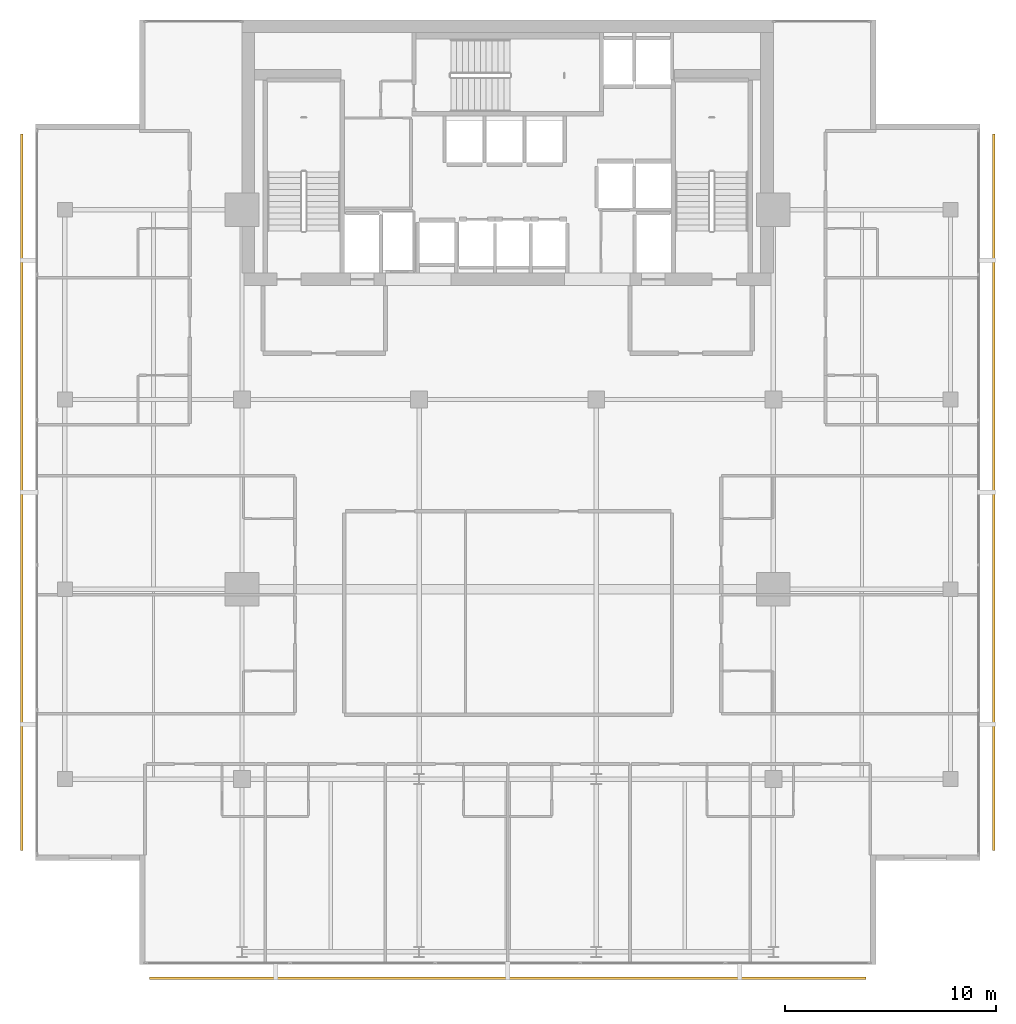
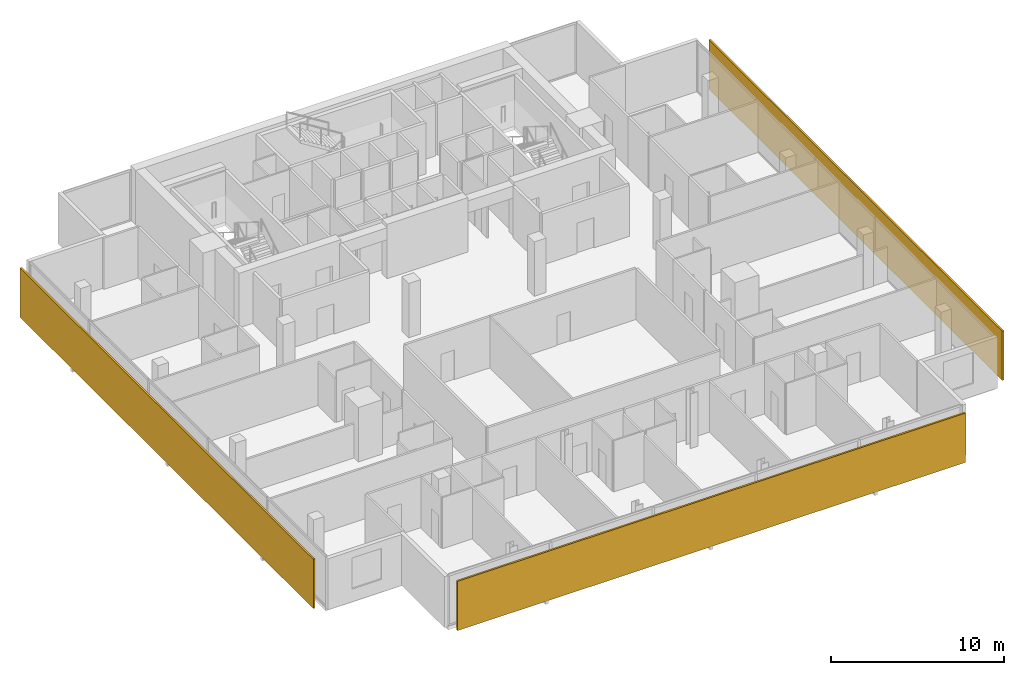
# One storey, part 24 of 25: 3 shading devices.
"""IFC4 building model written with IfcOpenShell, lengths in metres."""

from ifc_helpers import new_model, si_unit, direction, frame, origin, origin_2d, place, context, subcontext, project, spatial, rectangle, extrude, material, layer, layer_set, type_object, element, save


model = new_model("IFC4")

# Units and contexts
model_context = context("Model", 3, precision=1e-05, world=origin(), true_north=direction((0.0, 1.0)))
body_context = subcontext(model_context, "Body", "Model", "MODEL_VIEW")
ifc_project = project(units=[si_unit("LENGTHUNIT", "METRE"), si_unit("AREAUNIT", "SQUARE_METRE"), si_unit("VOLUMEUNIT", "CUBIC_METRE"), si_unit("PLANEANGLEUNIT", "RADIAN"), si_unit("MASSUNIT", "GRAM", prefix="KILO")], contexts=[model_context])

# Site, building, storey
site_placement = place(None, origin())
site = spatial("IfcSite", under=ifc_project, at=site_placement, CompositionType="ELEMENT")
building_placement = place(site_placement, origin())
building = spatial("IfcBuilding", under=site, at=building_placement, Name="Maruvema Waterfront Hotel and Observation Tower", CompositionType="ELEMENT")
storey_placement = place(building_placement, frame((0.0, 0.0, 239.39990234375)))
storey = spatial("IfcBuildingStorey", under=building, at=storey_placement, Name="L58", CompositionType="ELEMENT", Elevation=239.39990234375)

# Shading devices
ifc_material = material(Name="Honed travertine stone and anodised architectural bronze", Category="masonry")
ifc_layer = layer(ifc_material, 0.1201171875, Name="Ventilated Outer Skin Cobogo Stone-and-Bronze Screen 120 mm")
ifc_layer_set = layer_set([ifc_layer], Name="Honed travertine stone and anodised architectural bronze")
shading_device_type = type_object("IfcShadingDeviceType", Name="Ventilated Outer Skin Cobogo Stone-and-Bronze Screen 120 mm", PredefinedType="USERDEFINED", material=ifc_layer_set)
for number, where, z_axis, x_axis, name in (
    (1, (37.800048828125, 8.550048828125, 0.06005859375), (0.0, 0.0, 1.0), (1.0, 0.0, 0.0), "L58 Ventilated Double-Skin Outer Cobogo Screen OS-L58-S"),
    (2, (60.85009765625, 31.60009765625, 0.06005859375), (0.0, 0.0, 1.0), (0.0, 1.0, 0.0), "L58 Ventilated Double-Skin Outer Cobogo Screen OS-L58-E"),
    (3, (14.75, 31.60009765625, 0.06005859375), (0.0, 0.0, 1.0), (0.0, -1.0, 0.0), "L58 Ventilated Double-Skin Outer Cobogo Screen OS-L58-W"),
):
    element("IfcShadingDevice", number, at=place(storey_placement, frame(where, z_axis=z_axis, x_axis=x_axis)), inside=storey, type_object=shading_device_type, Name=name, ObjectType="OUTER SKIN SCREEN", PredefinedType="USERDEFINED", context=body_context, shape_type="SweptSolid", body=[
        extrude(rectangle(XDim=34.0, YDim=0.1201171875, at=origin_2d()), origin(), (0.0, 0.0, 1.0), 3.489990234375),
    ])

save(model, "model.ifc")
